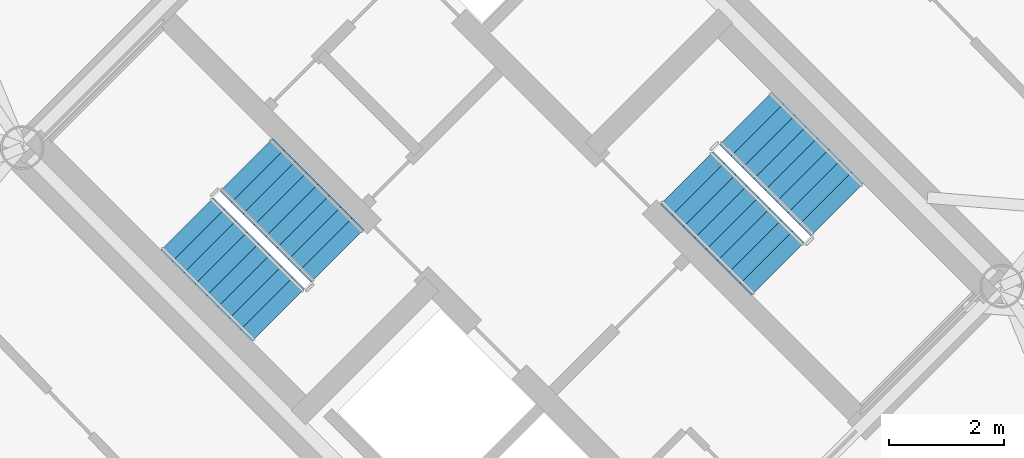
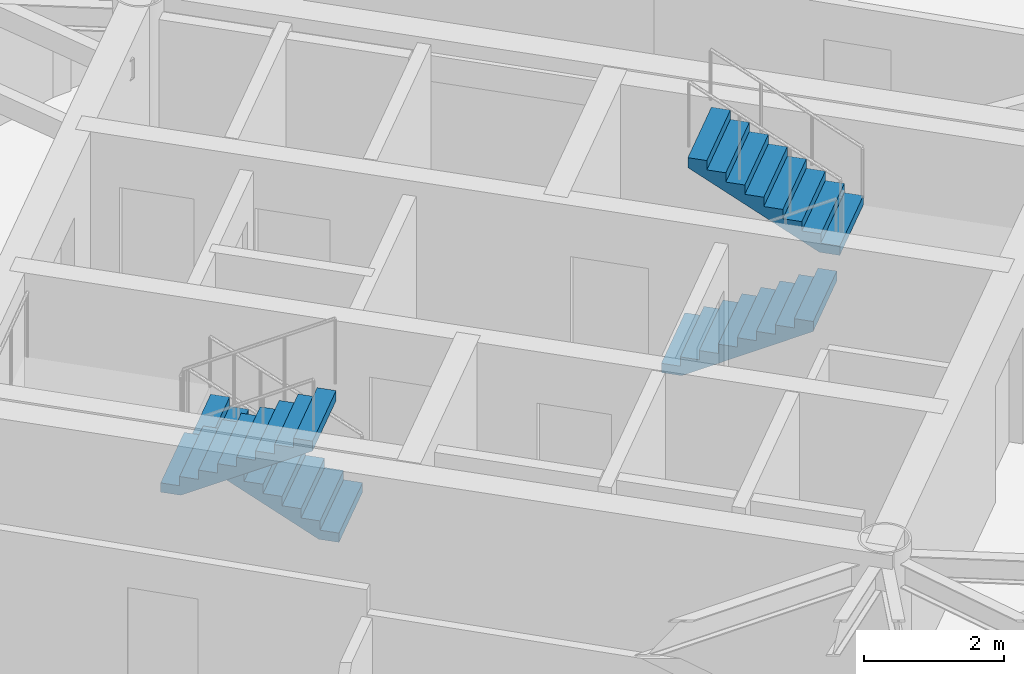
# One storey, part 15 of 17: 4 stair flights, 2 elements without a shape of their own.
"""IFC4 building model written with IfcOpenShell, lengths in metres."""

from ifc_helpers import new_model, si_unit, direction, frame, origin, place, context, subcontext, project, spatial, polyline, outline, extrude, material, type_object, element, aggregate, save


model = new_model("IFC4")

# Units and contexts
model_context = context("Model", 3, precision=1e-05, world=origin(), true_north=direction((0.0, 1.0)))
body_context = subcontext(model_context, "Body", "Model", "MODEL_VIEW")
ifc_project = project(units=[si_unit("LENGTHUNIT", "METRE"), si_unit("AREAUNIT", "SQUARE_METRE"), si_unit("VOLUMEUNIT", "CUBIC_METRE"), si_unit("PLANEANGLEUNIT", "RADIAN"), si_unit("MASSUNIT", "GRAM", prefix="KILO")], contexts=[model_context])

# Site, building, storey
site_placement = place(None, origin())
site = spatial("IfcSite", under=ifc_project, at=site_placement, CompositionType="ELEMENT")
building_placement = place(site_placement, origin())
building = spatial("IfcBuilding", under=site, at=building_placement, Name="Cununo Teusaquillo Station Towers", CompositionType="ELEMENT")
storey_placement = place(building_placement, frame((0.0, 0.0, 81.7900390625)))
storey = spatial("IfcBuildingStorey", under=building, at=storey_placement, Name="L25", CompositionType="ELEMENT", Elevation=81.7900390625)

# Stair, stair flights
ifc_material_1 = material(Name="Concrete C50/60", Category="concrete")
stair_type = type_object("IfcStairType", Name="ST-TWR-1300", PredefinedType="HALF_TURN_STAIR", material=ifc_material_1)
stair_1_placement = place(storey_placement, origin())
stair_1 = element("IfcStair", 1, at=stair_1_placement, inside=storey, type_object=stair_type, Name="L25 Tower B Protected Core Exit Stair 1", PredefinedType="HALF_TURN_STAIR")
ifc_material_2 = material(Name="Concrete C50/60", Category="concrete")
stair_flight_type = type_object("IfcStairFlightType", Name="SFL-TWR-1300", PredefinedType="STRAIGHT", material=ifc_material_2)
stair_flight_1_placement = place(storey_placement, frame((54.45947265625, 23.8212890625, 0.0), z_axis=(0.0, 0.0, 1.0), x_axis=(-0.707106781187, 0.707106781187, 0.0)))
stair_flight_1 = element("IfcStairFlight", 2, at=stair_flight_1_placement, type_object=stair_flight_type, Name="ST-T2-1 flight 1", NumberOfRisers=9, NumberOfTreads=8, PredefinedType="STRAIGHT", RiserHeight=0.161666667, TreadLength=0.28, context=body_context, shape_type="SweptSolid", body=[
    extrude(outline(polyline([(0.0, 0.0), (0.0, 0.16162109375), (0.280029296875, 0.16162109375), (0.280029296875, 0.3232421875), (0.56005859375, 0.3232421875), (0.56005859375, 0.485107421875), (0.840087890625, 0.485107421875), (0.840087890625, 0.646728515625), (1.1201171875, 0.646728515625), (1.1201171875, 0.808349609375), (1.39990234375, 0.808349609375), (1.39990234375, 0.969970703125), (1.679931640625, 0.969970703125), (1.679931640625, 1.131591796875), (1.9599609375, 1.131591796875), (1.9599609375, 1.293212890625), (2.239990234375, 1.293212890625), (2.239990234375, 1.455078125), (2.239990234375, 1.1201171875), (0.2998046875, 0.0), (0.0, 0.0)])), frame((0.0, 0.64990234375, 0.0), z_axis=(0.0, -1.0, 0.0), x_axis=(1.0, 0.0, 0.0)), (0.0, 0.0, 1.0), 1.300048828125),
])
stair_flight_2_placement = place(storey_placement, frame((51.84326171875, 24.372802734375, 1.455078125), z_axis=(0.0, 0.0, 1.0), x_axis=(0.707106781187, -0.707106781187, 0.0)))
stair_flight_2 = element("IfcStairFlight", 3, at=stair_flight_2_placement, type_object=stair_flight_type, Name="ST-T2-1 flight 2", NumberOfRisers=9, NumberOfTreads=8, PredefinedType="STRAIGHT", RiserHeight=0.161666667, TreadLength=0.28, context=body_context, shape_type="SweptSolid", body=[
    extrude(outline(polyline([(0.0, 0.0), (0.0, 0.16162109375), (0.280029296875, 0.16162109375), (0.280029296875, 0.3232421875), (0.56005859375, 0.3232421875), (0.56005859375, 0.485107421875), (0.840087890625, 0.485107421875), (0.840087890625, 0.646728515625), (1.1201171875, 0.646728515625), (1.1201171875, 0.808349609375), (1.39990234375, 0.808349609375), (1.39990234375, 0.969970703125), (1.679931640625, 0.969970703125), (1.679931640625, 1.131591796875), (1.9599609375, 1.131591796875), (1.9599609375, 1.293212890625), (2.239990234375, 1.293212890625), (2.239990234375, 1.455078125), (2.239990234375, 1.1201171875), (0.2998046875, 0.0), (0.0, 0.0)])), frame((0.0, 0.64990234375, 0.0), z_axis=(0.0, -1.0, 0.0), x_axis=(1.0, 0.0, 0.0)), (0.0, 0.0, 1.0), 1.300048828125),
])
aggregate(stair_1, [stair_flight_1, stair_flight_2])

stair_2_placement = place(storey_placement, origin())
stair_2 = element("IfcStair", 4, at=stair_2_placement, inside=storey, type_object=stair_type, Name="L25 Tower B Protected Core Exit Stair 2", PredefinedType="HALF_TURN_STAIR")
stair_flight_3_placement = place(storey_placement, frame((60.54052734375, 25.1787109375, 0.0), z_axis=(0.0, 0.0, 1.0), x_axis=(0.707106781187, -0.707106781187, 0.0)))
stair_flight_3 = element("IfcStairFlight", 5, at=stair_flight_3_placement, type_object=stair_flight_type, Name="ST-T2-2 flight 1", NumberOfRisers=9, NumberOfTreads=8, PredefinedType="STRAIGHT", RiserHeight=0.161666667, TreadLength=0.28, context=body_context, shape_type="SweptSolid", body=[
    extrude(outline(polyline([(0.0, 0.0), (0.0, 0.16162109375), (0.280029296875, 0.16162109375), (0.280029296875, 0.3232421875), (0.56005859375, 0.3232421875), (0.56005859375, 0.485107421875), (0.840087890625, 0.485107421875), (0.840087890625, 0.646728515625), (1.1201171875, 0.646728515625), (1.1201171875, 0.808349609375), (1.39990234375, 0.808349609375), (1.39990234375, 0.969970703125), (1.679931640625, 0.969970703125), (1.679931640625, 1.131591796875), (1.9599609375, 1.131591796875), (1.9599609375, 1.293212890625), (2.239990234375, 1.293212890625), (2.239990234375, 1.455078125), (2.239990234375, 1.1201171875), (0.2998046875, 0.0), (0.0, 0.0)])), frame((0.0, 0.64990234375, 0.0), z_axis=(0.0, -1.0, 0.0), x_axis=(1.0, 0.0, 0.0)), (0.0, 0.0, 1.0), 1.300048828125),
])
stair_flight_4_placement = place(storey_placement, frame((63.15673828125, 24.627197265625, 1.455078125), z_axis=(0.0, 0.0, 1.0), x_axis=(-0.707106781187, 0.707106781187, 0.0)))
stair_flight_4 = element("IfcStairFlight", 6, at=stair_flight_4_placement, type_object=stair_flight_type, Name="ST-T2-2 flight 2", NumberOfRisers=9, NumberOfTreads=8, PredefinedType="STRAIGHT", RiserHeight=0.161666667, TreadLength=0.28, context=body_context, shape_type="SweptSolid", body=[
    extrude(outline(polyline([(0.0, 0.0), (0.0, 0.16162109375), (0.280029296875, 0.16162109375), (0.280029296875, 0.3232421875), (0.56005859375, 0.3232421875), (0.56005859375, 0.485107421875), (0.840087890625, 0.485107421875), (0.840087890625, 0.646728515625), (1.1201171875, 0.646728515625), (1.1201171875, 0.808349609375), (1.39990234375, 0.808349609375), (1.39990234375, 0.969970703125), (1.679931640625, 0.969970703125), (1.679931640625, 1.131591796875), (1.9599609375, 1.131591796875), (1.9599609375, 1.293212890625), (2.239990234375, 1.293212890625), (2.239990234375, 1.455078125), (2.239990234375, 1.1201171875), (0.2998046875, 0.0), (0.0, 0.0)])), frame((0.0, 0.64990234375, 0.0), z_axis=(0.0, -1.0, 0.0), x_axis=(1.0, 0.0, 0.0)), (0.0, 0.0, 1.0), 1.300048828125),
])
aggregate(stair_2, [stair_flight_3, stair_flight_4])

save(model, "model.ifc")
